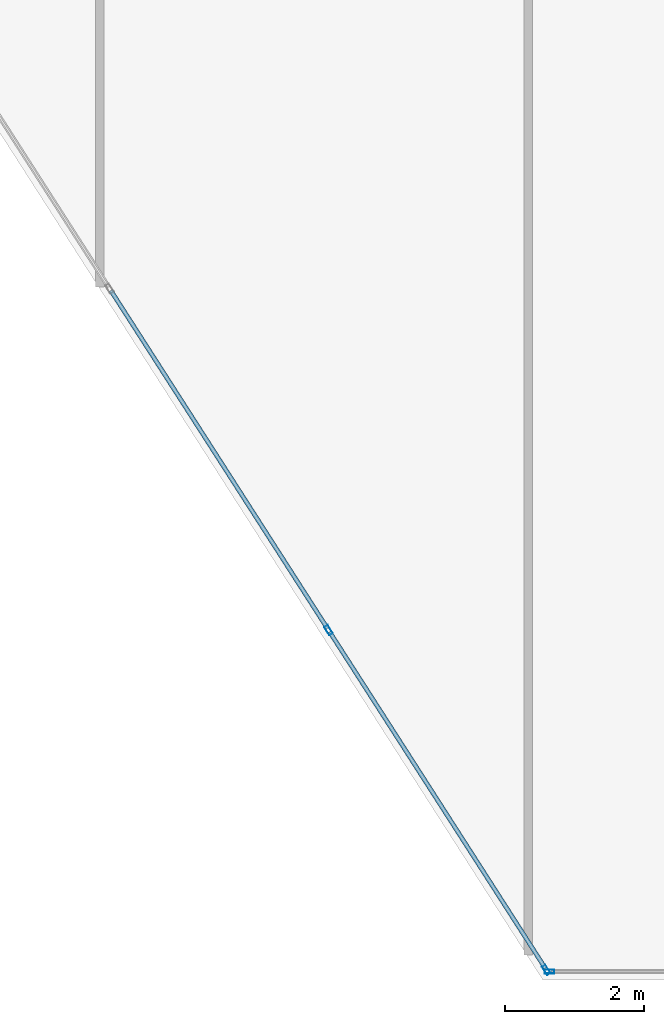
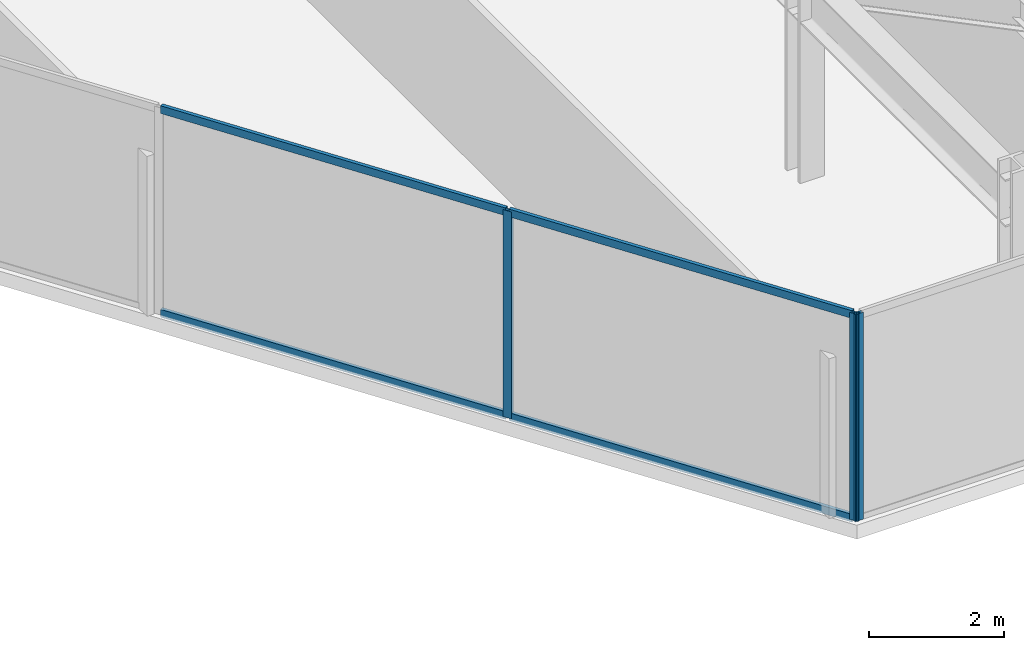
# One storey, part 15 of 26: 7 members, 2 elements without a shape of their own.
"""IFC4 building model written with IfcOpenShell, lengths in metres."""

from ifc_helpers import new_model, si_unit, direction, frame, origin, origin_2d, place, context, subcontext, project, spatial, hollow_rectangle, extrude, material, layer, layer_set, material_profile, profile_set, type_object, element, aggregate, save


model = new_model("IFC4")

# Units and contexts
model_context = context("Model", 3, precision=1e-05, world=origin(), true_north=direction((0.0, 1.0)))
body_context = subcontext(model_context, "Body", "Model", "MODEL_VIEW")
ifc_project = project(units=[si_unit("LENGTHUNIT", "METRE"), si_unit("AREAUNIT", "SQUARE_METRE"), si_unit("VOLUMEUNIT", "CUBIC_METRE"), si_unit("PLANEANGLEUNIT", "RADIAN"), si_unit("MASSUNIT", "GRAM", prefix="KILO")], contexts=[model_context])

# Site, building, storey
site_placement = place(None, origin())
site = spatial("IfcSite", under=ifc_project, at=site_placement, CompositionType="ELEMENT")
building_placement = place(site_placement, origin())
building = spatial("IfcBuilding", under=site, at=building_placement, Name="Kravanh Interchange Tower", CompositionType="ELEMENT")
storey_placement = place(building_placement, frame((0.0, 0.0, 136.0)))
storey = spatial("IfcBuildingStorey", under=building, at=storey_placement, Name="L32", CompositionType="ELEMENT", Elevation=136.0)

# Curtain wall, member
ifc_material_1 = material(Name="Anodised Bronze Aluminium", Category="aluminium")
ifc_layer = layer(ifc_material_1, 0.179931640625)
ifc_layer_set = layer_set([ifc_layer], Name="Unitised Curtain Wall System CW-Z2 Mid Office")
curtain_wall_type = type_object("IfcCurtainWallType", Name="Unitised Curtain Wall System CW-Z2 Mid Office", PredefinedType="NOTDEFINED", material=ifc_layer_set)
curtain_wall_1_placement = place(storey_placement, origin())
curtain_wall_1 = element("IfcCurtainWall", 1, at=curtain_wall_1_placement, inside=storey, type_object=curtain_wall_type, Name="L32 Unitised Curtain Wall CW-L32-03", PredefinedType="NOTDEFINED")
ifc_material_2 = material(Name="Anodised Bronze Aluminium", Category="aluminium")
ifc_material_profile_1 = material_profile(ifc_material_2, hollow_rectangle(XDim=0.06005859375, YDim=0.139892578125, WallThickness=0.00390625, at=origin_2d()), Name="ALU60X140X4")
ifc_profile_set_1 = profile_set([ifc_material_profile_1], Name="Anodised Bronze Aluminium")
member_type_1 = type_object("IfcMemberType", Name="Curtain Wall Mullion ALU60X140X4 Bronze", PredefinedType="MULLION", material=ifc_profile_set_1)
member_1_placement = place(storey_placement, frame((52.195556640625, 6.320068359375, 0.0), z_axis=(0.0, 0.0, 1.0), x_axis=(0.0, -1.0, 0.0)))
member_1 = element("IfcMember", 2, at=member_1_placement, type_object=member_type_1, Name="CW-Z2 mullion 3", PredefinedType="MULLION", context=body_context, shape_type="SweptSolid", body=[
    extrude(hollow_rectangle(XDim=0.06005859375, YDim=0.139892578125, WallThickness=0.00390625, at=origin_2d()), origin(), (0.0, 0.0, 1.0), 3.75),
])
aggregate(curtain_wall_1, [member_1])

# Curtain wall, members
curtain_wall_2_placement = place(storey_placement, origin())
curtain_wall_2 = element("IfcCurtainWall", 3, at=curtain_wall_2_placement, inside=storey, type_object=curtain_wall_type, Name="L32 Unitised Curtain Wall CW-L32-04", PredefinedType="NOTDEFINED")
member_2_placement = place(storey_placement, frame((52.1494140625, 6.34521484375, 0.0), z_axis=(0.0, 0.0, 1.0), x_axis=(-0.841879939476, -0.539664865919, 0.0)))
member_2 = element("IfcMember", 4, at=member_2_placement, type_object=member_type_1, Name="CW-Z2 mullion 1", PredefinedType="MULLION", context=body_context, shape_type="SweptSolid", body=[
    extrude(hollow_rectangle(XDim=0.06005859375, YDim=0.139892578125, WallThickness=0.00390625, at=origin_2d()), origin(), (0.0, 0.0, 1.0), 3.75),
])
member_3_placement = place(storey_placement, frame((49.024169921875, 11.220703125, 0.0), z_axis=(0.0, 0.0, 1.0), x_axis=(-0.841879939476, -0.539664865919, 0.0)))
member_3 = element("IfcMember", 5, at=member_3_placement, type_object=member_type_1, Name="CW-Z2 mullion 2", PredefinedType="MULLION", context=body_context, shape_type="SweptSolid", body=[
    extrude(hollow_rectangle(XDim=0.06005859375, YDim=0.139892578125, WallThickness=0.00390625, at=origin_2d()), origin(), (0.0, 0.0, 1.0), 3.75),
])
ifc_material_3 = material(Name="Anodised Bronze Aluminium", Category="aluminium")
ifc_material_profile_2 = material_profile(ifc_material_3, hollow_rectangle(XDim=0.06005859375, YDim=0.139892578125, WallThickness=0.00390625, at=origin_2d()), Name="ALU60X140X4")
ifc_profile_set_2 = profile_set([ifc_material_profile_2], Name="Anodised Bronze Aluminium")
member_type_2 = type_object("IfcMemberType", Name="Curtain Wall Transom ALU60X140X4 Bronze", PredefinedType="USERDEFINED", material=ifc_profile_set_2)
member_4_placement = place(storey_placement, frame((52.13330078125, 6.37060546875, 0.030029296875), z_axis=(-0.539697855812, 0.841858791266, 0.0), x_axis=(-0.841858791266, -0.539697855812, 0.0)))
member_4 = element("IfcMember", 6, at=member_4_placement, type_object=member_type_2, Name="CW-Z2 transom 1.1", ObjectType="TRANSOM", PredefinedType="USERDEFINED", context=body_context, shape_type="SweptSolid", body=[
    extrude(hollow_rectangle(XDim=0.06005859375, YDim=0.139892578125, WallThickness=0.00390625, at=origin_2d()), origin(), (0.0, 0.0, 1.0), 5.73095703125),
])
member_5_placement = place(storey_placement, frame((52.13330078125, 6.37060546875, 3.719970703125), z_axis=(-0.539697855812, 0.841858791266, 0.0), x_axis=(-0.841858791266, -0.539697855812, 0.0)))
member_5 = element("IfcMember", 7, at=member_5_placement, type_object=member_type_2, Name="CW-Z2 transom 1.2", ObjectType="TRANSOM", PredefinedType="USERDEFINED", context=body_context, shape_type="SweptSolid", body=[
    extrude(hollow_rectangle(XDim=0.06005859375, YDim=0.139892578125, WallThickness=0.00390625, at=origin_2d()), origin(), (0.0, 0.0, 1.0), 5.73095703125),
])
member_6_placement = place(storey_placement, frame((49.008056640625, 11.245849609375, 0.030029296875), z_axis=(-0.539677666788, 0.84187173368, 0.0), x_axis=(-0.84187173368, -0.539677666788, 0.0)))
member_6 = element("IfcMember", 8, at=member_6_placement, type_object=member_type_2, Name="CW-Z2 transom 2.1", ObjectType="TRANSOM", PredefinedType="USERDEFINED", context=body_context, shape_type="SweptSolid", body=[
    extrude(hollow_rectangle(XDim=0.06005859375, YDim=0.139892578125, WallThickness=0.00390625, at=origin_2d()), origin(), (0.0, 0.0, 1.0), 5.760986328125),
])
member_7_placement = place(storey_placement, frame((49.008056640625, 11.245849609375, 3.719970703125), z_axis=(-0.539677666788, 0.84187173368, 0.0), x_axis=(-0.84187173368, -0.539677666788, 0.0)))
member_7 = element("IfcMember", 9, at=member_7_placement, type_object=member_type_2, Name="CW-Z2 transom 2.2", ObjectType="TRANSOM", PredefinedType="USERDEFINED", context=body_context, shape_type="SweptSolid", body=[
    extrude(hollow_rectangle(XDim=0.06005859375, YDim=0.139892578125, WallThickness=0.00390625, at=origin_2d()), origin(), (0.0, 0.0, 1.0), 5.760986328125),
])
aggregate(curtain_wall_2, [member_2, member_3, member_4, member_5, member_6, member_7])

save(model, "model.ifc")
